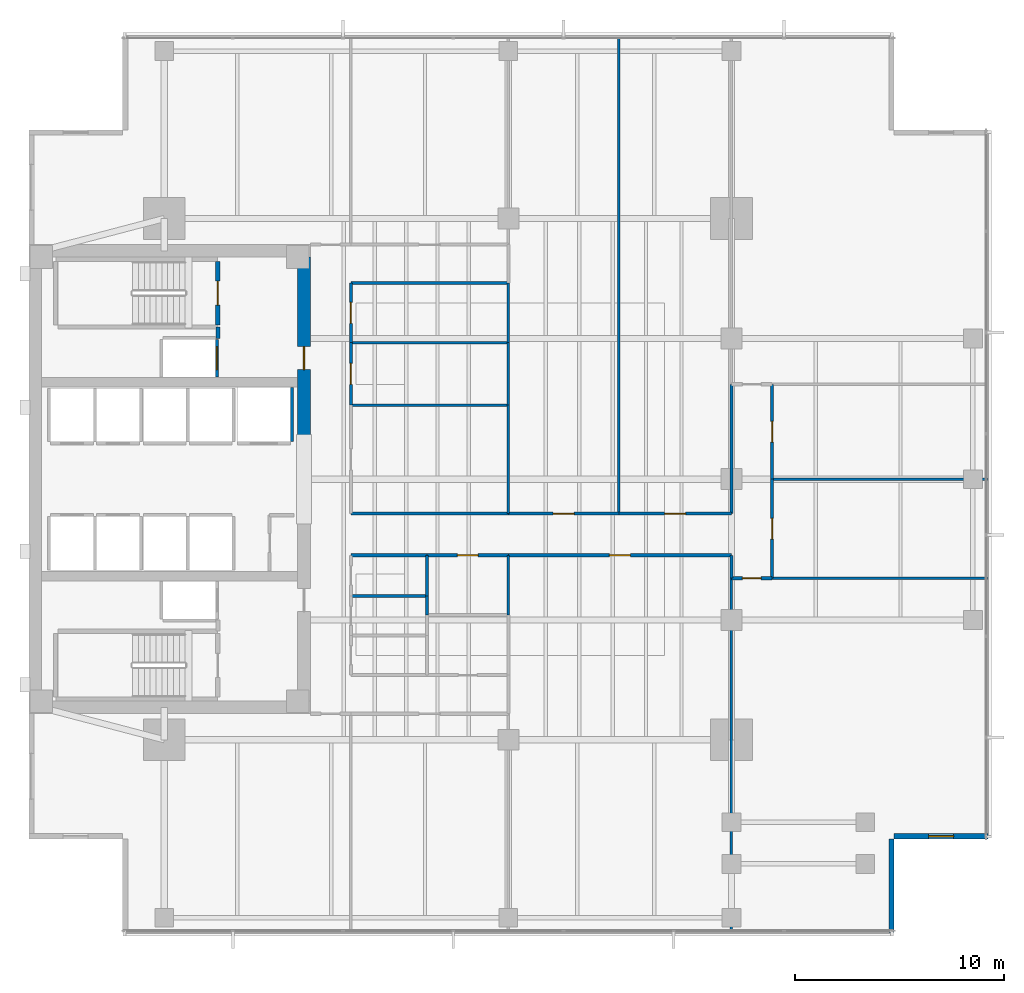
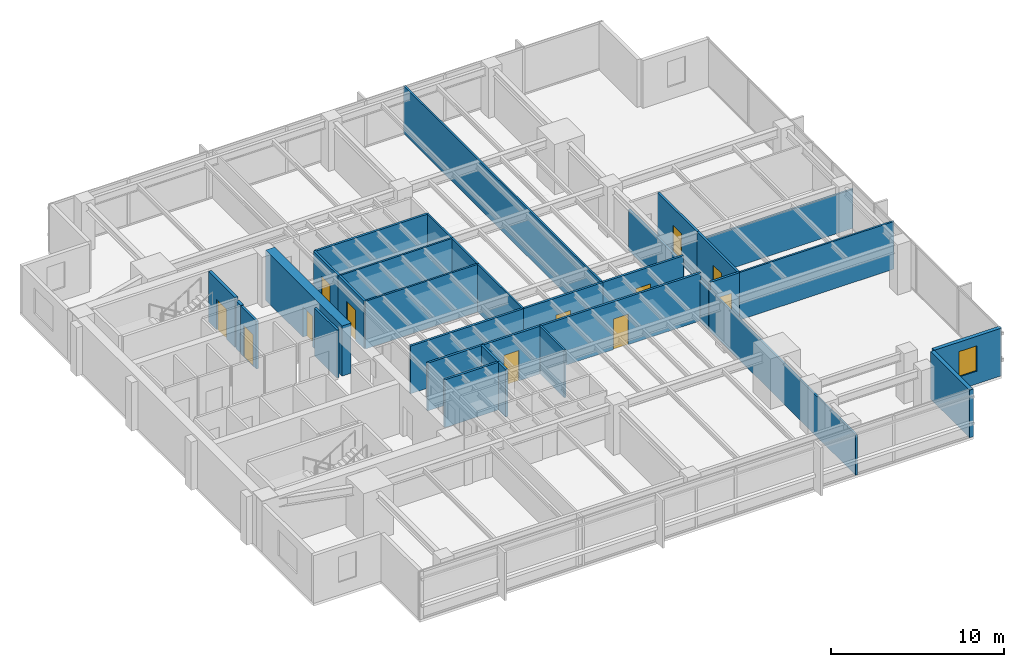
# One storey, part 9 of 14: 34 walls, 12 doors, 1 window, 13 openings.
"""IFC4 building model written with IfcOpenShell, lengths in metres."""

from ifc_helpers import new_model, si_unit, direction, frame, frame_2d, origin, place, context, subcontext, project, spatial, rectangle, extrude, material, layer, layer_set, type_object, element, fill, save


model = new_model("IFC4")

# Units and contexts
model_context = context("Model", 3, precision=1e-05, world=origin(), true_north=direction((0.0, 1.0)))
body_context = subcontext(model_context, "Body", "Model", "MODEL_VIEW")
ifc_project = project(units=[si_unit("LENGTHUNIT", "METRE"), si_unit("AREAUNIT", "SQUARE_METRE"), si_unit("VOLUMEUNIT", "CUBIC_METRE"), si_unit("PLANEANGLEUNIT", "RADIAN"), si_unit("MASSUNIT", "GRAM", prefix="KILO")], contexts=[model_context])

# Site, building, storey
site_placement = place(None, origin())
site = spatial("IfcSite", under=ifc_project, at=site_placement, CompositionType="ELEMENT")
building_placement = place(site_placement, origin())
building = spatial("IfcBuilding", under=site, at=building_placement, Name="Kinhvarn Gate Tower", CompositionType="ELEMENT")
storey_placement = place(building_placement, frame((0.0, 0.0, 166.14990234375)))
storey = spatial("IfcBuildingStorey", under=building, at=storey_placement, Name="L44", CompositionType="ELEMENT", Elevation=166.14990234375)

# Wall, opening, door
ifc_material_1 = material(Name="Concrete C60/75", Category="concrete")
ifc_layer_1 = layer(ifc_material_1, 0.60009765625)
ifc_layer_set_1 = layer_set([ifc_layer_1], Name="Concrete C60/75")
wall_type_1 = type_object("IfcWallType", Name="WL-CORE-600", PredefinedType="SHEAR", material=ifc_layer_set_1)
wall_1_placement = place(storey_placement, frame((17.699951171875, 27.050048828125, 0.0), z_axis=(0.0, 0.0, 1.0), x_axis=(0.0, 1.0, 0.0)))
wall_1 = element("IfcWall", 1, at=wall_1_placement, inside=storey, type_object=wall_type_1, Name="Core East-North Shear Pier L44 600 mm", PredefinedType="SHEAR", context=body_context, shape_type="SweptSolid", body=[
    extrude(rectangle(XDim=8.849853515625, YDim=0.60009765625, at=frame_2d((4.4248046875, 0.0))), origin(), (0.0, 0.0, 1.0), 3.550048828125),
])
opening_1_placement = place(wall_1_placement, frame((3.449951171875, 0.0, 0.0)))
opening_1 = element("IfcOpeningElement", 2, at=opening_1_placement, cuts=wall_1, Name="Opening FD-02", PredefinedType="OPENING", context=body_context, shape_type="SweptSolid", body=[
    extrude(rectangle(XDim=1.10009765625, YDim=2.14990234375, at=frame_2d((0.550048828125, 1.074951171875))), frame((0.0, 0.31005859375, 0.0), z_axis=(0.0, -1.0, 0.0), x_axis=(1.0, 0.0, 0.0)), (0.0, 0.0, 1.0), 0.6201171875),
])
ifc_material_2 = material(Name="Anodised aluminium AW-6063", Category="aluminium")
door_type_1 = type_object("IfcDoorType", Name="DR-FD-1100", OperationType="NOTDEFINED", PredefinedType="DOOR", material=ifc_material_2)
door_1_placement = place(opening_1_placement, origin())
door_1 = element("IfcDoor", 3, at=door_1_placement, inside=storey, type_object=door_type_1, Name="Firefighting Lobby Core Door (L44)", OperationType="SINGLE_SWING_LEFT", OverallHeight=2.14990234375, OverallWidth=1.10009765625, PredefinedType="DOOR", context=body_context, shape_type="SweptSolid", body=[
    extrude(rectangle(XDim=1.10009765625, YDim=2.14990234375, at=frame_2d((0.550048828125, 1.074951171875))), frame((0.0, 0.02490234375, 0.0), z_axis=(0.0, -1.0, 0.0), x_axis=(1.0, 0.0, 0.0)), (0.0, 0.0, 1.0), 0.050048828125),
])
fill(opening_1, door_1)

# Wall
ifc_material_3 = material(Name="Fired architectural terracotta", Category="masonry")
ifc_layer_2 = layer(ifc_material_3, 0.25)
ifc_layer_set_2 = layer_set([ifc_layer_2], Name="Fired architectural terracotta")
wall_type_2 = type_object("IfcWallType", Name="WL-EXT-250", PredefinedType="SOLIDWALL", material=ifc_layer_set_2)
wall_2_placement = place(storey_placement, frame((45.875, 3.5, 0.0), z_axis=(0.0, 0.0, 1.0), x_axis=(0.0, 1.0, 0.0)))
element("IfcWall", 4, at=wall_2_placement, inside=storey, type_object=wall_type_2, Name="Exterior Solidwall Wall EW-250 (L44 SE-Notch-1)", PredefinedType="SOLIDWALL", context=body_context, shape_type="SweptSolid", body=[
    extrude(rectangle(XDim=4.5, YDim=0.25, at=frame_2d((2.25, 0.0))), origin(), (0.0, 0.0, 1.0), 3.3701171875),
])

# Wall, opening, window
wall_3_placement = place(storey_placement, frame((46.0, 8.125, 0.0), z_axis=(0.0, 0.0, 1.0), x_axis=(1.0, 0.0, 0.0)))
wall_3 = element("IfcWall", 5, at=wall_3_placement, inside=storey, type_object=wall_type_2, Name="Exterior Solidwall Wall EW-250 (L44 SE-Notch-2)", PredefinedType="SOLIDWALL", context=body_context, shape_type="SweptSolid", body=[
    extrude(rectangle(XDim=4.5, YDim=0.25, at=frame_2d((2.25, 0.0))), origin(), (0.0, 0.0, 1.0), 3.3701171875),
])
opening_2_placement = place(wall_3_placement, frame((1.64990234375, 0.0, 0.89990234375)))
opening_2 = element("IfcOpeningElement", 6, at=opening_2_placement, cuts=wall_3, Name="Opening WN-02", PredefinedType="OPENING", context=body_context, shape_type="SweptSolid", body=[
    extrude(rectangle(XDim=1.199951171875, YDim=1.800048828125, at=frame_2d((0.60009765625, 0.89990234375))), frame((0.0, 0.135009765625, 0.0), z_axis=(0.0, -1.0, 0.0), x_axis=(1.0, 0.0, 0.0)), (0.0, 0.0, 1.0), 0.27001953125),
])
ifc_material_4 = material(Name="Clear low-e double glazing", Category="glass")
window_type = type_object("IfcWindowType", Name="WIN-NTC-1200", PartitioningType="SINGLE_PANEL", PredefinedType="WINDOW", material=ifc_material_4)
window_placement = place(opening_2_placement, origin())
window = element("IfcWindow", 7, at=window_placement, inside=storey, type_object=window_type, Name="Recessed Corner Notch Punched Window 1200x1800 mm (L44)", OverallHeight=1.800048828125, OverallWidth=1.199951171875, PartitioningType="SINGLE_PANEL", PredefinedType="WINDOW", context=body_context, shape_type="SweptSolid", body=[
    extrude(rectangle(XDim=1.199951171875, YDim=1.800048828125, at=frame_2d((0.60009765625, 0.89990234375))), frame((0.0, 0.030029296875, 0.0), z_axis=(0.0, -1.0, 0.0), x_axis=(1.0, 0.0, 0.0)), (0.0, 0.0, 1.0), 0.06005859375),
])
fill(opening_2, window)

# Walls
ifc_material_5 = material(Name="Gypsum acoustic partition board")
ifc_layer_3 = layer(ifc_material_5, 0.14990234375)
ifc_layer_set_3 = layer_set([ifc_layer_3], Name="Gypsum acoustic partition board")
wall_type_3 = type_object("IfcWallType", Name="WL-PLM-150", PredefinedType="PLUMBINGWALL", material=ifc_layer_set_3)
wall_4_placement = place(storey_placement, frame((19.949951171875, 19.64990234375, 0.0), z_axis=(0.0, 0.0, 1.0), x_axis=(1.0, 0.0, 0.0)))
element("IfcWall", 8, at=wall_4_placement, inside=storey, type_object=wall_type_3, Name="Interior Partition PLW-150 (L44)", PredefinedType="PLUMBINGWALL", context=body_context, shape_type="SweptSolid", body=[
    extrude(rectangle(XDim=3.650146484375, YDim=0.14990234375, at=frame_2d((1.8251953125, 0.0))), origin(), (0.0, 0.0, 1.0), 3.3701171875),
])
wall_5_placement = place(storey_placement, frame((23.60009765625, 18.72998046875, 0.0), z_axis=(0.0, 0.0, 1.0), x_axis=(0.0, 1.0, 0.0)))
element("IfcWall", 9, at=wall_5_placement, inside=storey, type_object=wall_type_3, Name="Interior Partition PLW-150 (L44)", PredefinedType="PLUMBINGWALL", context=body_context, shape_type="SweptSolid", body=[
    extrude(rectangle(XDim=0.919921875, YDim=0.14990234375, at=frame_2d((0.4599609375, 0.0))), origin(), (0.0, 0.0, 1.0), 3.3701171875),
])
wall_6_placement = place(storey_placement, frame((23.60009765625, 19.64990234375, 0.0), z_axis=(0.0, 0.0, 1.0), x_axis=(0.0, 1.0, 0.0)))
element("IfcWall", 10, at=wall_6_placement, inside=storey, type_object=wall_type_3, Name="Interior Partition PLW-150 (L44)", PredefinedType="PLUMBINGWALL", context=body_context, shape_type="SweptSolid", body=[
    extrude(rectangle(XDim=1.9501953125, YDim=0.14990234375, at=frame_2d((0.97509765625, 0.0))), origin(), (0.0, 0.0, 1.0), 3.3701171875),
])
ifc_layer_4 = layer(ifc_material_5, 0.14990234375)
ifc_layer_set_4 = layer_set([ifc_layer_4], Name="Gypsum acoustic partition board")
wall_type_4 = type_object("IfcWallType", Name="WL-PLM-150F", PredefinedType="PLUMBINGWALL", material=ifc_layer_set_4)
wall_7_placement = place(storey_placement, frame((19.949951171875, 21.60009765625, 0.0), z_axis=(0.0, 0.0, 1.0), x_axis=(1.0, 0.0, 0.0)))
element("IfcWall", 11, at=wall_7_placement, inside=storey, type_object=wall_type_4, Name="Interior Partition PLW-150F (L44)", PredefinedType="PLUMBINGWALL", context=body_context, shape_type="SweptSolid", body=[
    extrude(rectangle(XDim=3.650146484375, YDim=0.14990234375, at=frame_2d((1.8251953125, 0.0))), origin(), (0.0, 0.0, 1.0), 3.3701171875),
])
ifc_layer_5 = layer(ifc_material_5, 0.1201171875)
ifc_layer_set_5 = layer_set([ifc_layer_5], Name="Gypsum acoustic partition board")
wall_type_5 = type_object("IfcWallType", Name="WL-PRT-120", PredefinedType="PARTITIONING", material=ifc_layer_set_5)
wall_8_placement = place(storey_placement, frame((27.5, 18.72998046875, 0.0), z_axis=(0.0, 0.0, 1.0), x_axis=(0.0, 1.0, 0.0)))
element("IfcWall", 12, at=wall_8_placement, inside=storey, type_object=wall_type_5, Name="Interior Partition PW-120 (L44)", PredefinedType="PARTITIONING", context=body_context, shape_type="SweptSolid", body=[
    extrude(rectangle(XDim=2.8701171875, YDim=0.1201171875, at=frame_2d((1.43505859375, 0.0))), origin(), (0.0, 0.0, 1.0), 3.3701171875),
])
wall_9_placement = place(storey_placement, frame((19.949951171875, 28.800048828125, 0.0), z_axis=(0.0, 0.0, 1.0), x_axis=(1.0, 0.0, 0.0)))
element("IfcWall", 13, at=wall_9_placement, inside=storey, type_object=wall_type_5, Name="Interior Partition PW-120 (L44)", PredefinedType="PARTITIONING", context=body_context, shape_type="SweptSolid", body=[
    extrude(rectangle(XDim=7.550048828125, YDim=0.1201171875, at=frame_2d((3.77490234375, 0.0))), origin(), (0.0, 0.0, 1.0), 3.3701171875),
])
wall_10_placement = place(storey_placement, frame((27.5, 23.60009765625, 0.0), z_axis=(0.0, 0.0, 1.0), x_axis=(0.0, 1.0, 0.0)))
element("IfcWall", 14, at=wall_10_placement, inside=storey, type_object=wall_type_5, Name="Interior Partition PW-120 (L44)", PredefinedType="PARTITIONING", context=body_context, shape_type="SweptSolid", body=[
    extrude(rectangle(XDim=5.199951171875, YDim=0.1201171875, at=frame_2d((2.60009765625, 0.0))), origin(), (0.0, 0.0, 1.0), 3.3701171875),
])
wall_11_placement = place(storey_placement, frame((19.949951171875, 31.800048828125, 0.0), z_axis=(0.0, 0.0, 1.0), x_axis=(1.0, 0.0, 0.0)))
element("IfcWall", 15, at=wall_11_placement, inside=storey, type_object=wall_type_5, Name="Interior Partition PW-120 (L44)", PredefinedType="PARTITIONING", context=body_context, shape_type="SweptSolid", body=[
    extrude(rectangle(XDim=7.550048828125, YDim=0.1201171875, at=frame_2d((3.77490234375, 0.0))), origin(), (0.0, 0.0, 1.0), 3.3701171875),
])
wall_12_placement = place(storey_placement, frame((27.5, 28.800048828125, 0.0), z_axis=(0.0, 0.0, 1.0), x_axis=(0.0, 1.0, 0.0)))
element("IfcWall", 16, at=wall_12_placement, inside=storey, type_object=wall_type_5, Name="Interior Partition PW-120 (L44)", PredefinedType="PARTITIONING", context=body_context, shape_type="SweptSolid", body=[
    extrude(rectangle(XDim=3.0, YDim=0.1201171875, at=frame_2d((1.5, 0.0))), origin(), (0.0, 0.0, 1.0), 3.3701171875),
])
wall_13_placement = place(storey_placement, frame((27.5, 31.800048828125, 0.0), z_axis=(0.0, 0.0, 1.0), x_axis=(0.0, 1.0, 0.0)))
element("IfcWall", 17, at=wall_13_placement, inside=storey, type_object=wall_type_5, Name="Interior Partition PW-120 (L44)", PredefinedType="PARTITIONING", context=body_context, shape_type="SweptSolid", body=[
    extrude(rectangle(XDim=2.849853515625, YDim=0.1201171875, at=frame_2d((1.4248046875, 0.0))), origin(), (0.0, 0.0, 1.0), 3.3701171875),
])
wall_14_placement = place(storey_placement, frame((38.199951171875, 3.510009765625, 0.0), z_axis=(0.0, 0.0, 1.0), x_axis=(0.0, 1.0, 0.0)))
element("IfcWall", 18, at=wall_14_placement, inside=storey, type_object=wall_type_5, Name="Interior Partition PW-120 (L44)", PredefinedType="PARTITIONING", context=body_context, shape_type="SweptSolid", body=[
    extrude(rectangle(XDim=16.989990234375, YDim=0.1201171875, at=frame_2d((8.4951171875, 0.0))), origin(), (0.0, 0.0, 1.0), 2.8701171875),
])
wall_15_placement = place(storey_placement, frame((32.800048828125, 23.60009765625, 0.0), z_axis=(0.0, 0.0, 1.0), x_axis=(0.0, 1.0, 0.0)))
element("IfcWall", 19, at=wall_15_placement, inside=storey, type_object=wall_type_5, Name="Interior Partition PW-120 (L44)", PredefinedType="PARTITIONING", context=body_context, shape_type="SweptSolid", body=[
    extrude(rectangle(XDim=22.889892578125, YDim=0.1201171875, at=frame_2d((11.44482421875, 0.0))), origin(), (0.0, 0.0, 1.0), 3.3701171875),
])
wall_16_placement = place(storey_placement, frame((40.14990234375, 20.5, 0.0), z_axis=(0.0, 0.0, 1.0), x_axis=(1.0, 0.0, 0.0)))
element("IfcWall", 20, at=wall_16_placement, inside=storey, type_object=wall_type_5, Name="Interior Partition PW-120 (L44)", PredefinedType="PARTITIONING", context=body_context, shape_type="SweptSolid", body=[
    extrude(rectangle(XDim=10.340087890625, YDim=0.1201171875, at=frame_2d((5.169921875, 0.0))), origin(), (0.0, 0.0, 1.0), 3.3701171875),
])
wall_17_placement = place(storey_placement, frame((40.14990234375, 25.25, 0.0), z_axis=(0.0, 0.0, 1.0), x_axis=(1.0, 0.0, 0.0)))
element("IfcWall", 21, at=wall_17_placement, inside=storey, type_object=wall_type_5, Name="Interior Partition PW-120 (L44)", PredefinedType="PARTITIONING", context=body_context, shape_type="SweptSolid", body=[
    extrude(rectangle(XDim=10.340087890625, YDim=0.1201171875, at=frame_2d((5.169921875, 0.0))), origin(), (0.0, 0.0, 1.0), 2.77001953125),
])

# Wall, opening, door
ifc_layer_6 = layer(ifc_material_5, 0.14990234375)
ifc_layer_set_6 = layer_set([ifc_layer_6], Name="Gypsum acoustic partition board")
wall_type_6 = type_object("IfcWallType", Name="WL-PRT-150F", PredefinedType="PARTITIONING", material=ifc_layer_set_6)
wall_18_placement = place(storey_placement, frame((19.949951171875, 28.800048828125, 0.0), z_axis=(0.0, 0.0, 1.0), x_axis=(0.0, 1.0, 0.0)))
wall_18 = element("IfcWall", 22, at=wall_18_placement, inside=storey, type_object=wall_type_6, Name="Interior Partition PW-150F (L44)", PredefinedType="PARTITIONING", context=body_context, shape_type="SweptSolid", body=[
    extrude(rectangle(XDim=3.0, YDim=0.14990234375, at=frame_2d((1.5, 0.0))), origin(), (0.0, 0.0, 1.0), 3.3701171875),
])
opening_3_placement = place(wall_18_placement, frame((1.0, 0.0, 0.0)))
opening_3 = element("IfcOpeningElement", 23, at=opening_3_placement, cuts=wall_18, Name="Opening ID-02", PredefinedType="OPENING", context=body_context, shape_type="SweptSolid", body=[
    extrude(rectangle(XDim=1.0, YDim=2.14990234375, at=frame_2d((0.5, 1.074951171875))), frame((0.0, 0.0849609375, 0.0), z_axis=(0.0, -1.0, 0.0), x_axis=(1.0, 0.0, 0.0)), (0.0, 0.0, 1.0), 0.169921875),
])
door_type_2 = type_object("IfcDoorType", Name="DR-INT-1000", OperationType="NOTDEFINED", PredefinedType="DOOR", material=ifc_material_2)
door_2_placement = place(opening_3_placement, origin())
door_2 = element("IfcDoor", 24, at=door_2_placement, inside=storey, type_object=door_type_2, Name="Standard Office & Meeting Room Door 1000x2150 mm (L44)", OperationType="SINGLE_SWING_LEFT", OverallHeight=2.14990234375, OverallWidth=1.0, PredefinedType="DOOR", context=body_context, shape_type="SweptSolid", body=[
    extrude(rectangle(XDim=1.0, YDim=2.14990234375, at=frame_2d((0.5, 1.074951171875))), frame((0.0, 0.02490234375, 0.0), z_axis=(0.0, -1.0, 0.0), x_axis=(1.0, 0.0, 0.0)), (0.0, 0.0, 1.0), 0.050048828125),
])
fill(opening_3, door_2)

wall_19_placement = place(storey_placement, frame((19.949951171875, 31.800048828125, 0.0), z_axis=(0.0, 0.0, 1.0), x_axis=(0.0, 1.0, 0.0)))
wall_19 = element("IfcWall", 25, at=wall_19_placement, inside=storey, type_object=wall_type_6, Name="Interior Partition PW-150F (L44)", PredefinedType="PARTITIONING", context=body_context, shape_type="SweptSolid", body=[
    extrude(rectangle(XDim=2.849853515625, YDim=0.14990234375, at=frame_2d((1.4248046875, 0.0))), origin(), (0.0, 0.0, 1.0), 3.3701171875),
])
opening_4_placement = place(wall_19_placement, frame((0.925048828125, 0.0, 0.0)))
opening_4 = element("IfcOpeningElement", 26, at=opening_4_placement, cuts=wall_19, Name="Opening ID-02", PredefinedType="OPENING", context=body_context, shape_type="SweptSolid", body=[
    extrude(rectangle(XDim=1.0, YDim=2.14990234375, at=frame_2d((0.5, 1.074951171875))), frame((0.0, 0.0849609375, 0.0), z_axis=(0.0, -1.0, 0.0), x_axis=(1.0, 0.0, 0.0)), (0.0, 0.0, 1.0), 0.169921875),
])
door_3_placement = place(opening_4_placement, origin())
door_3 = element("IfcDoor", 27, at=door_3_placement, inside=storey, type_object=door_type_2, Name="Standard Office & Meeting Room Door 1000x2150 mm (L44)", OperationType="SINGLE_SWING_RIGHT", OverallHeight=2.14990234375, OverallWidth=1.0, PredefinedType="DOOR", context=body_context, shape_type="SweptSolid", body=[
    extrude(rectangle(XDim=1.0, YDim=2.14990234375, at=frame_2d((0.5, 1.074951171875))), frame((0.0, 0.02490234375, 0.0), z_axis=(0.0, -1.0, 0.0), x_axis=(1.0, 0.0, 0.0)), (0.0, 0.0, 1.0), 0.050048828125),
])
fill(opening_4, door_3)

wall_20_placement = place(storey_placement, frame((23.60009765625, 21.60009765625, 0.0), z_axis=(0.0, 0.0, 1.0), x_axis=(1.0, 0.0, 0.0)))
wall_20 = element("IfcWall", 28, at=wall_20_placement, inside=storey, type_object=wall_type_6, Name="Interior Partition PW-150F (L44)", PredefinedType="PARTITIONING", context=body_context, shape_type="SweptSolid", body=[
    extrude(rectangle(XDim=3.89990234375, YDim=0.14990234375, at=frame_2d((1.949951171875, 0.0))), origin(), (0.0, 0.0, 1.0), 3.3701171875),
])
opening_5_placement = place(wall_20_placement, frame((1.449951171875, 0.0, 0.0)))
opening_5 = element("IfcOpeningElement", 29, at=opening_5_placement, cuts=wall_20, Name="Opening ID-02", PredefinedType="OPENING", context=body_context, shape_type="SweptSolid", body=[
    extrude(rectangle(XDim=1.0, YDim=2.14990234375, at=frame_2d((0.5, 1.074951171875))), frame((0.0, 0.0849609375, 0.0), z_axis=(0.0, -1.0, 0.0), x_axis=(1.0, 0.0, 0.0)), (0.0, 0.0, 1.0), 0.169921875),
])
door_4_placement = place(opening_5_placement, origin())
door_4 = element("IfcDoor", 30, at=door_4_placement, inside=storey, type_object=door_type_2, Name="Standard Office & Meeting Room Door 1000x2150 mm (L44)", OperationType="SINGLE_SWING_LEFT", OverallHeight=2.14990234375, OverallWidth=1.0, PredefinedType="DOOR", context=body_context, shape_type="SweptSolid", body=[
    extrude(rectangle(XDim=1.0, YDim=2.14990234375, at=frame_2d((0.5, 1.074951171875))), frame((0.0, 0.02490234375, 0.0), z_axis=(0.0, -1.0, 0.0), x_axis=(1.0, 0.0, 0.0)), (0.0, 0.0, 1.0), 0.050048828125),
])
fill(opening_5, door_4)

# Wall
wall_21_placement = place(storey_placement, frame((19.949951171875, 23.60009765625, 0.0), z_axis=(0.0, 0.0, 1.0), x_axis=(1.0, 0.0, 0.0)))
element("IfcWall", 31, at=wall_21_placement, inside=storey, type_object=wall_type_6, Name="Interior Partition PW-150F (L44)", PredefinedType="PARTITIONING", context=body_context, shape_type="SweptSolid", body=[
    extrude(rectangle(XDim=7.550048828125, YDim=0.14990234375, at=frame_2d((3.77490234375, 0.0))), origin(), (0.0, 0.0, 1.0), 3.3701171875),
])

# Wall, opening, door
wall_22_placement = place(storey_placement, frame((27.5, 21.60009765625, 0.0), z_axis=(0.0, 0.0, 1.0), x_axis=(1.0, 0.0, 0.0)))
wall_22 = element("IfcWall", 32, at=wall_22_placement, inside=storey, type_object=wall_type_6, Name="Interior Partition PW-150F (L44)", PredefinedType="PARTITIONING", context=body_context, shape_type="SweptSolid", body=[
    extrude(rectangle(XDim=10.699951171875, YDim=0.14990234375, at=frame_2d((5.35009765625, 0.0))), origin(), (0.0, 0.0, 1.0), 3.3701171875),
])
opening_6_placement = place(wall_22_placement, frame((4.85009765625, 0.0, 0.0)))
opening_6 = element("IfcOpeningElement", 33, at=opening_6_placement, cuts=wall_22, Name="Opening ID-02", PredefinedType="OPENING", context=body_context, shape_type="SweptSolid", body=[
    extrude(rectangle(XDim=1.0, YDim=2.14990234375, at=frame_2d((0.5, 1.074951171875))), frame((0.0, 0.0849609375, 0.0), z_axis=(0.0, -1.0, 0.0), x_axis=(1.0, 0.0, 0.0)), (0.0, 0.0, 1.0), 0.169921875),
])
door_5_placement = place(opening_6_placement, origin())
door_5 = element("IfcDoor", 34, at=door_5_placement, inside=storey, type_object=door_type_2, Name="Standard Office & Meeting Room Door 1000x2150 mm (L44)", OperationType="SINGLE_SWING_RIGHT", OverallHeight=2.14990234375, OverallWidth=1.0, PredefinedType="DOOR", context=body_context, shape_type="SweptSolid", body=[
    extrude(rectangle(XDim=1.0, YDim=2.14990234375, at=frame_2d((0.5, 1.074951171875))), frame((0.0, 0.02490234375, 0.0), z_axis=(0.0, -1.0, 0.0), x_axis=(1.0, 0.0, 0.0)), (0.0, 0.0, 1.0), 0.050048828125),
])
fill(opening_6, door_5)

wall_23_placement = place(storey_placement, frame((27.5, 23.60009765625, 0.0), z_axis=(0.0, 0.0, 1.0), x_axis=(1.0, 0.0, 0.0)))
wall_23 = element("IfcWall", 35, at=wall_23_placement, inside=storey, type_object=wall_type_6, Name="Interior Partition PW-150F (L44)", PredefinedType="PARTITIONING", context=body_context, shape_type="SweptSolid", body=[
    extrude(rectangle(XDim=5.300048828125, YDim=0.14990234375, at=frame_2d((2.64990234375, 0.0))), origin(), (0.0, 0.0, 1.0), 3.3701171875),
])
opening_7_placement = place(wall_23_placement, frame((2.14990234375, 0.0, 0.0)))
opening_7 = element("IfcOpeningElement", 36, at=opening_7_placement, cuts=wall_23, Name="Opening ID-02", PredefinedType="OPENING", context=body_context, shape_type="SweptSolid", body=[
    extrude(rectangle(XDim=1.0, YDim=2.14990234375, at=frame_2d((0.5, 1.074951171875))), frame((0.0, 0.0849609375, 0.0), z_axis=(0.0, -1.0, 0.0), x_axis=(1.0, 0.0, 0.0)), (0.0, 0.0, 1.0), 0.169921875),
])
door_6_placement = place(opening_7_placement, origin())
door_6 = element("IfcDoor", 37, at=door_6_placement, inside=storey, type_object=door_type_2, Name="Standard Office & Meeting Room Door 1000x2150 mm (L44)", OperationType="SINGLE_SWING_LEFT", OverallHeight=2.14990234375, OverallWidth=1.0, PredefinedType="DOOR", context=body_context, shape_type="SweptSolid", body=[
    extrude(rectangle(XDim=1.0, YDim=2.14990234375, at=frame_2d((0.5, 1.074951171875))), frame((0.0, 0.02490234375, 0.0), z_axis=(0.0, -1.0, 0.0), x_axis=(1.0, 0.0, 0.0)), (0.0, 0.0, 1.0), 0.050048828125),
])
fill(opening_7, door_6)

wall_24_placement = place(storey_placement, frame((32.800048828125, 23.60009765625, 0.0), z_axis=(0.0, 0.0, 1.0), x_axis=(1.0, 0.0, 0.0)))
wall_24 = element("IfcWall", 38, at=wall_24_placement, inside=storey, type_object=wall_type_6, Name="Interior Partition PW-150F (L44)", PredefinedType="PARTITIONING", context=body_context, shape_type="SweptSolid", body=[
    extrude(rectangle(XDim=5.39990234375, YDim=0.14990234375, at=frame_2d((2.699951171875, 0.0))), origin(), (0.0, 0.0, 1.0), 3.3701171875),
])
opening_8_placement = place(wall_24_placement, frame((2.199951171875, 0.0, 0.0)))
opening_8 = element("IfcOpeningElement", 39, at=opening_8_placement, cuts=wall_24, Name="Opening ID-02", PredefinedType="OPENING", context=body_context, shape_type="SweptSolid", body=[
    extrude(rectangle(XDim=1.0, YDim=2.14990234375, at=frame_2d((0.5, 1.074951171875))), frame((0.0, 0.0849609375, 0.0), z_axis=(0.0, -1.0, 0.0), x_axis=(1.0, 0.0, 0.0)), (0.0, 0.0, 1.0), 0.169921875),
])
door_7_placement = place(opening_8_placement, origin())
door_7 = element("IfcDoor", 40, at=door_7_placement, inside=storey, type_object=door_type_2, Name="Standard Office & Meeting Room Door 1000x2150 mm (L44)", OperationType="SINGLE_SWING_RIGHT", OverallHeight=2.14990234375, OverallWidth=1.0, PredefinedType="DOOR", context=body_context, shape_type="SweptSolid", body=[
    extrude(rectangle(XDim=1.0, YDim=2.14990234375, at=frame_2d((0.5, 1.074951171875))), frame((0.0, 0.02490234375, 0.0), z_axis=(0.0, -1.0, 0.0), x_axis=(1.0, 0.0, 0.0)), (0.0, 0.0, 1.0), 0.050048828125),
])
fill(opening_8, door_7)

# Walls
wall_25_placement = place(storey_placement, frame((19.949951171875, 34.64990234375, 0.0), z_axis=(0.0, 0.0, 1.0), x_axis=(1.0, 0.0, 0.0)))
element("IfcWall", 41, at=wall_25_placement, inside=storey, type_object=wall_type_6, Name="Interior Partition PW-150F (L44)", PredefinedType="PARTITIONING", context=body_context, shape_type="SweptSolid", body=[
    extrude(rectangle(XDim=7.550048828125, YDim=0.14990234375, at=frame_2d((3.77490234375, 0.0))), origin(), (0.0, 0.0, 1.0), 3.3701171875),
])
wall_26_placement = place(storey_placement, frame((38.199951171875, 20.5, 0.0), z_axis=(0.0, 0.0, 1.0), x_axis=(0.0, 1.0, 0.0)))
element("IfcWall", 42, at=wall_26_placement, inside=storey, type_object=wall_type_6, Name="Interior Partition PW-150F (L44)", PredefinedType="PARTITIONING", context=body_context, shape_type="SweptSolid", body=[
    extrude(rectangle(XDim=1.10009765625, YDim=0.14990234375, at=frame_2d((0.550048828125, 0.0))), origin(), (0.0, 0.0, 1.0), 2.8701171875),
])
wall_27_placement = place(storey_placement, frame((38.199951171875, 23.60009765625, 0.0), z_axis=(0.0, 0.0, 1.0), x_axis=(0.0, 1.0, 0.0)))
element("IfcWall", 43, at=wall_27_placement, inside=storey, type_object=wall_type_6, Name="Interior Partition PW-150F (L44)", PredefinedType="PARTITIONING", context=body_context, shape_type="SweptSolid", body=[
    extrude(rectangle(XDim=6.199951171875, YDim=0.14990234375, at=frame_2d((3.10009765625, 0.0))), origin(), (0.0, 0.0, 1.0), 2.8701171875),
])

# Wall, opening, door
wall_28_placement = place(storey_placement, frame((38.199951171875, 20.5, 0.0), z_axis=(0.0, 0.0, 1.0), x_axis=(1.0, 0.0, 0.0)))
wall_28 = element("IfcWall", 44, at=wall_28_placement, inside=storey, type_object=wall_type_6, Name="Interior Partition PW-150F (L44)", PredefinedType="PARTITIONING", context=body_context, shape_type="SweptSolid", body=[
    extrude(rectangle(XDim=1.949951171875, YDim=0.14990234375, at=frame_2d((0.97509765625, 0.0))), origin(), (0.0, 0.0, 1.0), 3.3701171875),
])
opening_9_placement = place(wall_28_placement, frame((0.52490234375, 0.0, 0.0)))
opening_9 = element("IfcOpeningElement", 45, at=opening_9_placement, cuts=wall_28, Name="Opening ID-03", PredefinedType="OPENING", context=body_context, shape_type="SweptSolid", body=[
    extrude(rectangle(XDim=0.89990234375, YDim=2.10009765625, at=frame_2d((0.449951171875, 1.050048828125))), frame((0.0, 0.0849609375, 0.0), z_axis=(0.0, -1.0, 0.0), x_axis=(1.0, 0.0, 0.0)), (0.0, 0.0, 1.0), 0.169921875),
])
door_type_3 = type_object("IfcDoorType", Name="DR-INT-900", OperationType="NOTDEFINED", PredefinedType="DOOR", material=ifc_material_2)
door_8_placement = place(opening_9_placement, origin())
door_8 = element("IfcDoor", 46, at=door_8_placement, inside=storey, type_object=door_type_3, Name="Cellular Office & Restroom Door 900x2100 mm (L44)", OperationType="SINGLE_SWING_RIGHT", OverallHeight=2.10009765625, OverallWidth=0.89990234375, PredefinedType="DOOR", context=body_context, shape_type="SweptSolid", body=[
    extrude(rectangle(XDim=0.89990234375, YDim=2.10009765625, at=frame_2d((0.449951171875, 1.050048828125))), frame((0.0, 0.02490234375, 0.0), z_axis=(0.0, -1.0, 0.0), x_axis=(1.0, 0.0, 0.0)), (0.0, 0.0, 1.0), 0.050048828125),
])
fill(opening_9, door_8)

wall_29_placement = place(storey_placement, frame((40.14990234375, 20.5, 0.0), z_axis=(0.0, 0.0, 1.0), x_axis=(0.0, 1.0, 0.0)))
wall_29 = element("IfcWall", 47, at=wall_29_placement, inside=storey, type_object=wall_type_6, Name="Interior Partition PW-150F (L44)", PredefinedType="PARTITIONING", context=body_context, shape_type="SweptSolid", body=[
    extrude(rectangle(XDim=4.75, YDim=0.14990234375, at=frame_2d((2.375, 0.0))), origin(), (0.0, 0.0, 1.0), 3.3701171875),
])
opening_10_placement = place(wall_29_placement, frame((1.875, 0.0, 0.0)))
opening_10 = element("IfcOpeningElement", 48, at=opening_10_placement, cuts=wall_29, Name="Opening ID-02", PredefinedType="OPENING", context=body_context, shape_type="SweptSolid", body=[
    extrude(rectangle(XDim=1.0, YDim=2.14990234375, at=frame_2d((0.5, 1.074951171875))), frame((0.0, 0.0849609375, 0.0), z_axis=(0.0, -1.0, 0.0), x_axis=(1.0, 0.0, 0.0)), (0.0, 0.0, 1.0), 0.169921875),
])
door_9_placement = place(opening_10_placement, origin())
door_9 = element("IfcDoor", 49, at=door_9_placement, inside=storey, type_object=door_type_2, Name="Standard Office & Meeting Room Door 1000x2150 mm (L44)", OperationType="SINGLE_SWING_LEFT", OverallHeight=2.14990234375, OverallWidth=1.0, PredefinedType="DOOR", context=body_context, shape_type="SweptSolid", body=[
    extrude(rectangle(XDim=1.0, YDim=2.14990234375, at=frame_2d((0.5, 1.074951171875))), frame((0.0, 0.02490234375, 0.0), z_axis=(0.0, -1.0, 0.0), x_axis=(1.0, 0.0, 0.0)), (0.0, 0.0, 1.0), 0.050048828125),
])
fill(opening_10, door_9)

wall_30_placement = place(storey_placement, frame((40.14990234375, 25.25, 0.0), z_axis=(0.0, 0.0, 1.0), x_axis=(0.0, 1.0, 0.0)))
wall_30 = element("IfcWall", 50, at=wall_30_placement, inside=storey, type_object=wall_type_6, Name="Interior Partition PW-150F (L44)", PredefinedType="PARTITIONING", context=body_context, shape_type="SweptSolid", body=[
    extrude(rectangle(XDim=4.550048828125, YDim=0.14990234375, at=frame_2d((2.27490234375, 0.0))), origin(), (0.0, 0.0, 1.0), 3.3701171875),
])
opening_11_placement = place(wall_30_placement, frame((1.77490234375, 0.0, 0.0)))
opening_11 = element("IfcOpeningElement", 51, at=opening_11_placement, cuts=wall_30, Name="Opening ID-02", PredefinedType="OPENING", context=body_context, shape_type="SweptSolid", body=[
    extrude(rectangle(XDim=1.0, YDim=2.14990234375, at=frame_2d((0.5, 1.074951171875))), frame((0.0, 0.0849609375, 0.0), z_axis=(0.0, -1.0, 0.0), x_axis=(1.0, 0.0, 0.0)), (0.0, 0.0, 1.0), 0.169921875),
])
door_10_placement = place(opening_11_placement, origin())
door_10 = element("IfcDoor", 52, at=door_10_placement, inside=storey, type_object=door_type_2, Name="Standard Office & Meeting Room Door 1000x2150 mm (L44)", OperationType="SINGLE_SWING_RIGHT", OverallHeight=2.14990234375, OverallWidth=1.0, PredefinedType="DOOR", context=body_context, shape_type="SweptSolid", body=[
    extrude(rectangle(XDim=1.0, YDim=2.14990234375, at=frame_2d((0.5, 1.074951171875))), frame((0.0, 0.02490234375, 0.0), z_axis=(0.0, -1.0, 0.0), x_axis=(1.0, 0.0, 0.0)), (0.0, 0.0, 1.0), 0.050048828125),
])
fill(opening_11, door_10)

# Walls
ifc_layer_7 = layer(ifc_material_5, 0.199951171875)
ifc_layer_set_7 = layer_set([ifc_layer_7], Name="Gypsum acoustic partition board")
wall_type_7 = type_object("IfcWallType", Name="WL-PRT-200", PredefinedType="PARTITIONING", material=ifc_layer_set_7)
wall_31_placement = place(storey_placement, frame((13.580078125, 32.0, 0.0), z_axis=(0.0, 0.0, 1.0), x_axis=(0.0, 1.0, 0.0)))
element("IfcWall", 53, at=wall_31_placement, inside=storey, type_object=wall_type_7, Name="Interior Partition PW-200 (L44)", PredefinedType="PARTITIONING", context=body_context, shape_type="SweptSolid", body=[
    extrude(rectangle(XDim=0.5400390625, YDim=0.199951171875, at=frame_2d((0.27001953125, 0.0))), origin(), (0.0, 0.0, 1.0), 3.3701171875),
])
ifc_layer_8 = layer(ifc_material_5, 0.14990234375)
ifc_layer_set_8 = layer_set([ifc_layer_8], Name="Gypsum acoustic partition board")
wall_type_8 = type_object("IfcWallType", Name="WL-SHF-150", PredefinedType="PARTITIONING", material=ifc_layer_set_8)
wall_32_placement = place(storey_placement, frame((17.125, 27.050048828125, 0.0), z_axis=(0.0, 0.0, 1.0), x_axis=(0.0, 1.0, 0.0)))
element("IfcWall", 54, at=wall_32_placement, inside=storey, type_object=wall_type_8, Name="Elevator SV-01 Hoistway Wall E (L44)", PredefinedType="PARTITIONING", context=body_context, shape_type="SweptSolid", body=[
    extrude(rectangle(XDim=2.599853515625, YDim=0.14990234375, at=frame_2d((1.2998046875, 0.0))), origin(), (0.0, 0.0, 1.0), 3.3701171875),
])

# Wall, opening, door
wall_33_placement = place(storey_placement, frame((13.52490234375, 30.14990234375, 0.0), z_axis=(0.0, 0.0, 1.0), x_axis=(0.0, 1.0, 0.0)))
wall_33 = element("IfcWall", 55, at=wall_33_placement, inside=storey, type_object=wall_type_8, Name="Elevator FF2 Landing Wall (L44)", PredefinedType="PARTITIONING", context=body_context, shape_type="SweptSolid", body=[
    extrude(rectangle(XDim=1.800048828125, YDim=0.14990234375, at=frame_2d((0.89990234375, 0.0))), origin(), (0.0, 0.0, 1.0), 3.3701171875),
])
opening_12_placement = place(wall_33_placement, frame((0.35009765625, 0.0, 0.0)))
opening_12 = element("IfcOpeningElement", 56, at=opening_12_placement, cuts=wall_33, Name="Opening LD-03", PredefinedType="OPENING", context=body_context, shape_type="SweptSolid", body=[
    extrude(rectangle(XDim=1.10009765625, YDim=2.199951171875, at=frame_2d((0.550048828125, 1.10009765625))), frame((0.0, 0.0849609375, 0.0), z_axis=(0.0, -1.0, 0.0), x_axis=(1.0, 0.0, 0.0)), (0.0, 0.0, 1.0), 0.169921875),
])
door_type_4 = type_object("IfcDoorType", Name="DR-LND-FF", OperationType="NOTDEFINED", PredefinedType="DOOR", material=ifc_material_2)
door_11_placement = place(opening_12_placement, origin())
door_11 = element("IfcDoor", 57, at=door_11_placement, inside=storey, type_object=door_type_4, Name="Elevator FF2 Sliding Landing Door (L44)", OperationType="DOUBLE_DOOR_SLIDING", OverallHeight=2.199951171875, OverallWidth=1.10009765625, PredefinedType="DOOR", context=body_context, shape_type="SweptSolid", body=[
    extrude(rectangle(XDim=1.10009765625, YDim=2.199951171875, at=frame_2d((0.550048828125, 1.10009765625))), frame((0.0, 0.02490234375, 0.0), z_axis=(0.0, -1.0, 0.0), x_axis=(1.0, 0.0, 0.0)), (0.0, 0.0, 1.0), 0.050048828125),
])
fill(opening_12, door_11)

ifc_material_6 = material(Name="Concrete C40/50", Category="concrete")
ifc_layer_9 = layer(ifc_material_6, 0.199951171875)
ifc_layer_set_9 = layer_set([ifc_layer_9], Name="Concrete C40/50")
wall_type_9 = type_object("IfcWallType", Name="WL-SHF-200", PredefinedType="SOLIDWALL", material=ifc_layer_set_9)
wall_34_placement = place(storey_placement, frame((13.56005859375, 32.64990234375, 0.0), z_axis=(0.0, 0.0, 1.0), x_axis=(0.0, 1.0, 0.0)))
wall_34 = element("IfcWall", 58, at=wall_34_placement, inside=storey, type_object=wall_type_9, Name="Stair ST2 East Entry Wall (L44)", PredefinedType="SOLIDWALL", context=body_context, shape_type="SweptSolid", body=[
    extrude(rectangle(XDim=3.050048828125, YDim=0.199951171875, at=frame_2d((1.52490234375, 0.0))), origin(), (0.0, 0.0, 1.0), 3.550048828125),
])
opening_13_placement = place(wall_34_placement, frame((0.949951171875, 0.0, 0.0)))
opening_13 = element("IfcOpeningElement", 59, at=opening_13_placement, cuts=wall_34, Name="Opening FD-01", PredefinedType="OPENING", context=body_context, shape_type="SweptSolid", body=[
    extrude(rectangle(XDim=1.14990234375, YDim=2.14990234375, at=frame_2d((0.574951171875, 1.074951171875))), frame((0.0, 0.10986328125, 0.0), z_axis=(0.0, -1.0, 0.0), x_axis=(1.0, 0.0, 0.0)), (0.0, 0.0, 1.0), 0.219970703125),
])
door_type_5 = type_object("IfcDoorType", Name="DR-ST-1150", OperationType="NOTDEFINED", PredefinedType="DOOR", material=ifc_material_2)
door_12_placement = place(opening_13_placement, origin())
door_12 = element("IfcDoor", 60, at=door_12_placement, inside=storey, type_object=door_type_5, Name="Exit Stair ST2 Fire Door (L44)", OperationType="SINGLE_SWING_LEFT", OverallHeight=2.14990234375, OverallWidth=1.14990234375, PredefinedType="DOOR", context=body_context, shape_type="SweptSolid", body=[
    extrude(rectangle(XDim=1.14990234375, YDim=2.14990234375, at=frame_2d((0.574951171875, 1.074951171875))), frame((0.0, 0.02490234375, 0.0), z_axis=(0.0, -1.0, 0.0), x_axis=(1.0, 0.0, 0.0)), (0.0, 0.0, 1.0), 0.050048828125),
])
fill(opening_13, door_12)

save(model, "model.ifc")
